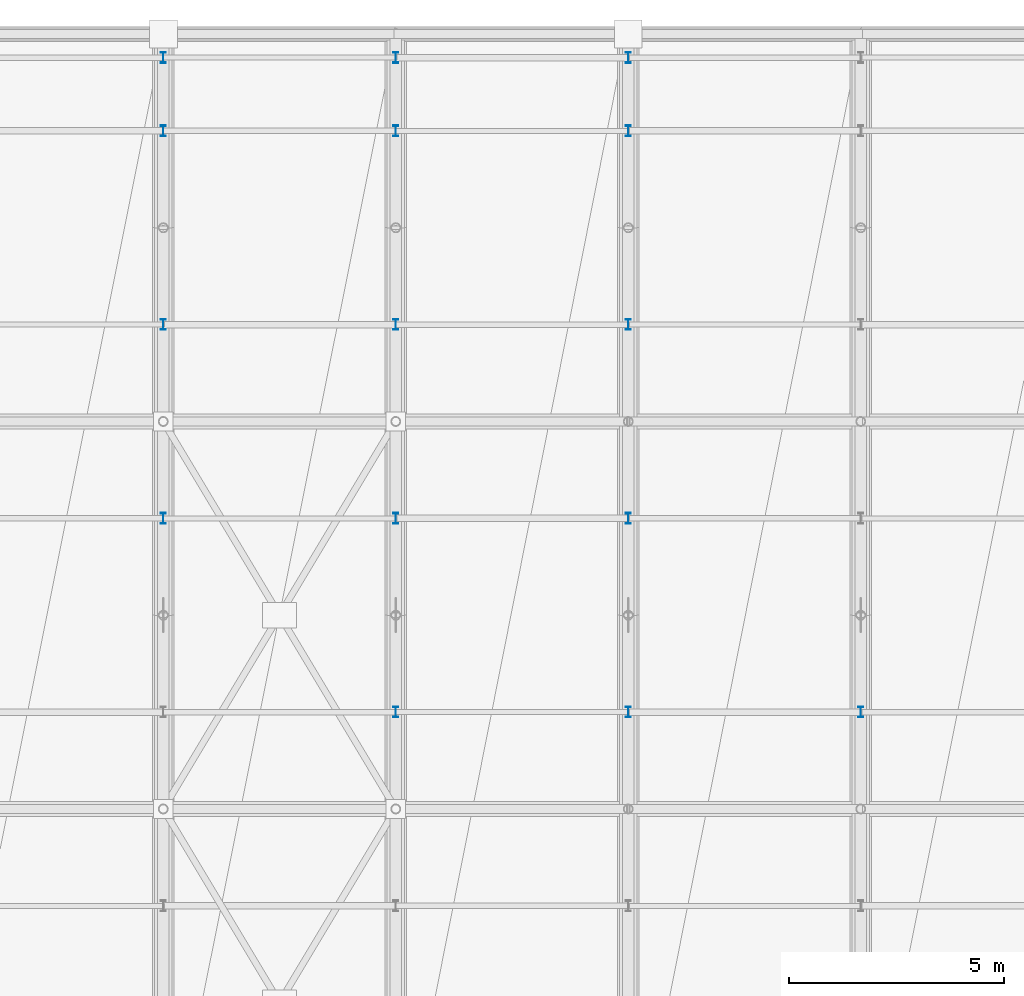
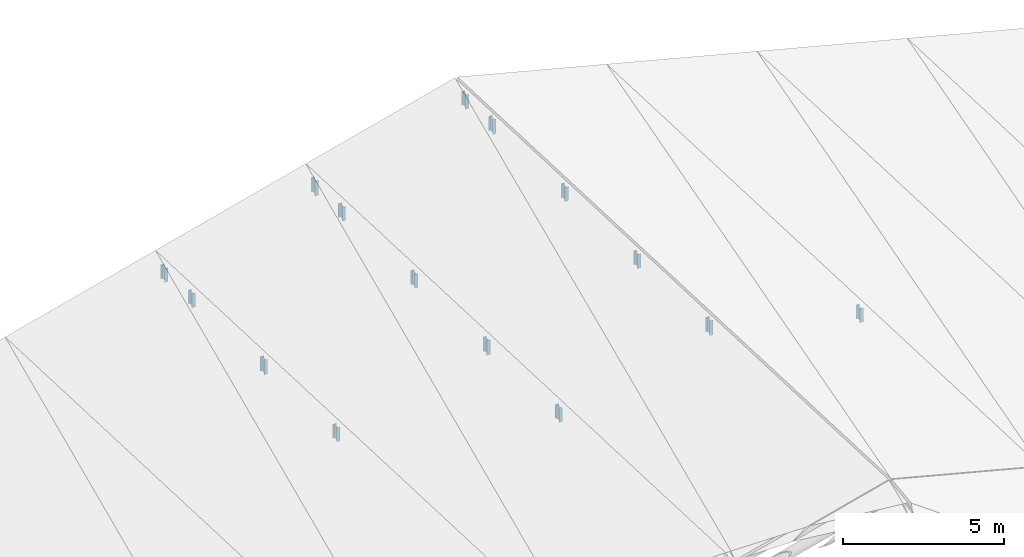
# One storey, part 76 of 109: 15 members.
"""IFC4 building model written with IfcOpenShell, lengths in metres."""

from ifc_helpers import new_model, si_unit, direction, frame, origin, origin_2d, place, context, subcontext, project, spatial, i_section, extrude, material, material_profile, profile_set, type_object, element, save


model = new_model("IFC4")

# Units and contexts
model_context = context("Model", 3, precision=1e-05, world=origin(), true_north=direction((0.0, 1.0)))
body_context = subcontext(model_context, "Body", "Model", "MODEL_VIEW")
ifc_project = project(units=[si_unit("LENGTHUNIT", "METRE"), si_unit("AREAUNIT", "SQUARE_METRE"), si_unit("VOLUMEUNIT", "CUBIC_METRE"), si_unit("PLANEANGLEUNIT", "RADIAN"), si_unit("MASSUNIT", "GRAM", prefix="KILO")], contexts=[model_context])

# Site, building, storey
site_placement = place(None, origin())
site = spatial("IfcSite", under=ifc_project, at=site_placement, CompositionType="ELEMENT")
building_placement = place(site_placement, origin())
building = spatial("IfcBuilding", under=site, at=building_placement, Name="Suirenkawa Promenade Aquatics Centre", CompositionType="ELEMENT")
storey_placement = place(building_placement, frame((0.0, 0.0, 22.800048828125)))
storey = spatial("IfcBuildingStorey", under=building, at=storey_placement, Name="ROOF", CompositionType="ELEMENT", Elevation=22.800048828125)

# Members
ifc_material = material(Name="Steel IS 2062 E350 (Grade 350)", Category="steel")
ifc_material_profile = material_profile(ifc_material, i_section(OverallWidth=0.125, OverallDepth=0.25, WebThickness=0.007080078125, FlangeThickness=0.012939453125, at=origin_2d()), Name="ISMB 250", Category="steel")
ifc_profile_set = profile_set([ifc_material_profile], Name="Steel IS 2062 E350 (Grade 350)")
member_type = type_object("IfcMemberType", Name="MT-WEB-CHS168", PredefinedType="BRACE", material=ifc_profile_set)
member_1_placement = place(storey_placement, frame((100.800048828125, 111.14990234375, -7.261962890625), z_axis=(0.0, 0.0, 1.0), x_axis=(1.0, 0.0, 0.0)))
element("IfcMember", 1, at=member_1_placement, inside=storey, type_object=member_type, Name="ROOF TRUSS Purlin cleat post TD-03 MB-2040", PredefinedType="BRACE", context=body_context, shape_type="SweptSolid", body=[
    extrude(i_section(OverallWidth=0.125, OverallDepth=0.25, WebThickness=0.007080078125, FlangeThickness=0.012939453125, at=origin_2d()), origin(), (0.0, 0.0, 1.0), 0.52880859375),
])
member_2_placement = place(storey_placement, frame((100.800048828125, 115.64990234375, -7.445068359375), z_axis=(0.0, 0.0, 1.0), x_axis=(1.0, 0.0, 0.0)))
element("IfcMember", 2, at=member_2_placement, inside=storey, type_object=member_type, Name="ROOF TRUSS Purlin cleat post TD-03 MB-2042", PredefinedType="BRACE", context=body_context, shape_type="SweptSolid", body=[
    extrude(i_section(OverallWidth=0.125, OverallDepth=0.25, WebThickness=0.007080078125, FlangeThickness=0.012939453125, at=origin_2d()), origin(), (0.0, 0.0, 1.0), 0.552978515625),
])
member_3_placement = place(storey_placement, frame((100.800048828125, 120.14990234375, -7.6279296875), z_axis=(0.0, 0.0, 1.0), x_axis=(1.0, 0.0, 0.0)))
element("IfcMember", 3, at=member_3_placement, inside=storey, type_object=member_type, Name="ROOF TRUSS Purlin cleat post TD-03 MB-2044", PredefinedType="BRACE", context=body_context, shape_type="SweptSolid", body=[
    extrude(i_section(OverallWidth=0.125, OverallDepth=0.25, WebThickness=0.007080078125, FlangeThickness=0.012939453125, at=origin_2d()), origin(), (0.0, 0.0, 1.0), 0.52685546875),
])
member_4_placement = place(storey_placement, frame((100.800048828125, 121.85009765625, -7.697998046875), z_axis=(0.0, 0.0, 1.0), x_axis=(1.0, 0.0, 0.0)))
element("IfcMember", 4, at=member_4_placement, inside=storey, type_object=member_type, Name="ROOF TRUSS Purlin cleat post TD-03 MB-2046", PredefinedType="BRACE", context=body_context, shape_type="SweptSolid", body=[
    extrude(i_section(OverallWidth=0.125, OverallDepth=0.25, WebThickness=0.007080078125, FlangeThickness=0.012939453125, at=origin_2d()), origin(), (0.0, 0.0, 1.0), 0.529052734375),
])
member_5_placement = place(storey_placement, frame((106.199951171875, 106.64990234375, -5.677978515625), z_axis=(0.0, 0.0, 1.0), x_axis=(1.0, 0.0, 0.0)))
element("IfcMember", 5, at=member_5_placement, inside=storey, type_object=member_type, Name="ROOF TRUSS Purlin cleat post TD-03 MB-2074", PredefinedType="BRACE", context=body_context, shape_type="SweptSolid", body=[
    extrude(i_section(OverallWidth=0.125, OverallDepth=0.25, WebThickness=0.007080078125, FlangeThickness=0.012939453125, at=origin_2d()), origin(), (0.0, 0.0, 1.0), 0.52783203125),
])
member_6_placement = place(storey_placement, frame((106.199951171875, 111.14990234375, -5.862060546875), z_axis=(0.0, 0.0, 1.0), x_axis=(1.0, 0.0, 0.0)))
element("IfcMember", 6, at=member_6_placement, inside=storey, type_object=member_type, Name="ROOF TRUSS Purlin cleat post TD-03 MB-2076", PredefinedType="BRACE", context=body_context, shape_type="SweptSolid", body=[
    extrude(i_section(OverallWidth=0.125, OverallDepth=0.25, WebThickness=0.007080078125, FlangeThickness=0.012939453125, at=origin_2d()), origin(), (0.0, 0.0, 1.0), 0.553955078125),
])
for number, where, z_axis, x_axis, name in (
    (7, (106.199951171875, 115.64990234375, -6.045166015625), (0.0, 0.0, 1.0), (1.0, 0.0, 0.0), "ROOF TRUSS Purlin cleat post TD-03 MB-2078"),
    (8, (106.199951171875, 120.14990234375, -6.22802734375), (0.0, 0.0, 1.0), (1.0, 0.0, 0.0), "ROOF TRUSS Purlin cleat post TD-03 MB-2080"),
):
    element("IfcMember", number, at=place(storey_placement, frame(where, z_axis=z_axis, x_axis=x_axis)), inside=storey, type_object=member_type, Name=name, PredefinedType="BRACE", context=body_context, shape_type="SweptSolid", body=[
        extrude(i_section(OverallWidth=0.125, OverallDepth=0.25, WebThickness=0.007080078125, FlangeThickness=0.012939453125, at=origin_2d()), origin(), (0.0, 0.0, 1.0), 0.528076171875),
    ])
member_7_placement = place(storey_placement, frame((106.199951171875, 121.85009765625, -6.298095703125), z_axis=(0.0, 0.0, 1.0), x_axis=(1.0, 0.0, 0.0)))
element("IfcMember", 9, at=member_7_placement, inside=storey, type_object=member_type, Name="ROOF TRUSS Purlin cleat post TD-03 MB-2082", PredefinedType="BRACE", context=body_context, shape_type="SweptSolid", body=[
    extrude(i_section(OverallWidth=0.125, OverallDepth=0.25, WebThickness=0.007080078125, FlangeThickness=0.012939453125, at=origin_2d()), origin(), (0.0, 0.0, 1.0), 0.553955078125),
])
member_8_placement = place(storey_placement, frame((111.60009765625, 106.64990234375, -4.278076171875), z_axis=(0.0, 0.0, 1.0), x_axis=(1.0, 0.0, 0.0)))
element("IfcMember", 10, at=member_8_placement, inside=storey, type_object=member_type, Name="ROOF TRUSS Purlin cleat post TD-03 MB-2110", PredefinedType="BRACE", context=body_context, shape_type="SweptSolid", body=[
    extrude(i_section(OverallWidth=0.125, OverallDepth=0.25, WebThickness=0.007080078125, FlangeThickness=0.012939453125, at=origin_2d()), origin(), (0.0, 0.0, 1.0), 0.552978515625),
])
for number, where, z_axis, x_axis, name in (
    (11, (111.60009765625, 111.14990234375, -4.462158203125), (0.0, 0.0, 1.0), (1.0, 0.0, 0.0), "ROOF TRUSS Purlin cleat post TD-03 MB-2112"),
    (12, (111.60009765625, 115.64990234375, -4.64501953125), (0.0, 0.0, 1.0), (1.0, 0.0, 0.0), "ROOF TRUSS Purlin cleat post TD-03 MB-2114"),
):
    element("IfcMember", number, at=place(storey_placement, frame(where, z_axis=z_axis, x_axis=x_axis)), inside=storey, type_object=member_type, Name=name, PredefinedType="BRACE", context=body_context, shape_type="SweptSolid", body=[
        extrude(i_section(OverallWidth=0.125, OverallDepth=0.25, WebThickness=0.007080078125, FlangeThickness=0.012939453125, at=origin_2d()), origin(), (0.0, 0.0, 1.0), 0.528076171875),
    ])
member_9_placement = place(storey_placement, frame((111.60009765625, 120.14990234375, -4.828125), z_axis=(0.0, 0.0, 1.0), x_axis=(1.0, 0.0, 0.0)))
element("IfcMember", 13, at=member_9_placement, inside=storey, type_object=member_type, Name="ROOF TRUSS Purlin cleat post TD-03 MB-2116", PredefinedType="BRACE", context=body_context, shape_type="SweptSolid", body=[
    extrude(i_section(OverallWidth=0.125, OverallDepth=0.25, WebThickness=0.007080078125, FlangeThickness=0.012939453125, at=origin_2d()), origin(), (0.0, 0.0, 1.0), 0.552978515625),
])
member_10_placement = place(storey_placement, frame((111.60009765625, 121.85009765625, -4.89794921875), z_axis=(0.0, 0.0, 1.0), x_axis=(1.0, 0.0, 0.0)))
element("IfcMember", 14, at=member_10_placement, inside=storey, type_object=member_type, Name="ROOF TRUSS Purlin cleat post TD-03 MB-2118", PredefinedType="BRACE", context=body_context, shape_type="SweptSolid", body=[
    extrude(i_section(OverallWidth=0.125, OverallDepth=0.25, WebThickness=0.007080078125, FlangeThickness=0.012939453125, at=origin_2d()), origin(), (0.0, 0.0, 1.0), 0.52783203125),
])
member_11_placement = place(storey_placement, frame((117.0, 106.64990234375, -5.677978515625), z_axis=(0.0, 0.0, 1.0), x_axis=(1.0, 0.0, 0.0)))
element("IfcMember", 15, at=member_11_placement, inside=storey, type_object=member_type, Name="ROOF TRUSS Purlin cleat post TD-03 MB-2146", PredefinedType="BRACE", context=body_context, shape_type="SweptSolid", body=[
    extrude(i_section(OverallWidth=0.125, OverallDepth=0.25, WebThickness=0.007080078125, FlangeThickness=0.012939453125, at=origin_2d()), origin(), (0.0, 0.0, 1.0), 0.52685546875),
])

save(model, "model.ifc")
